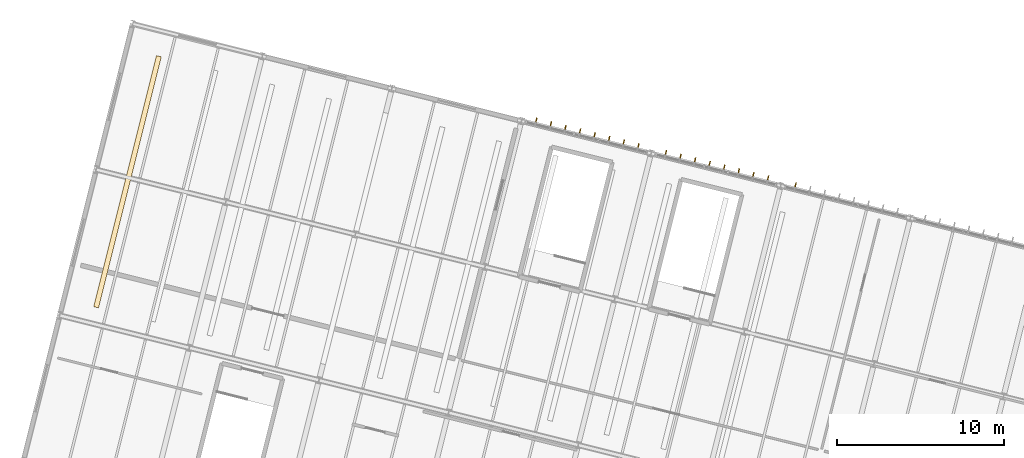
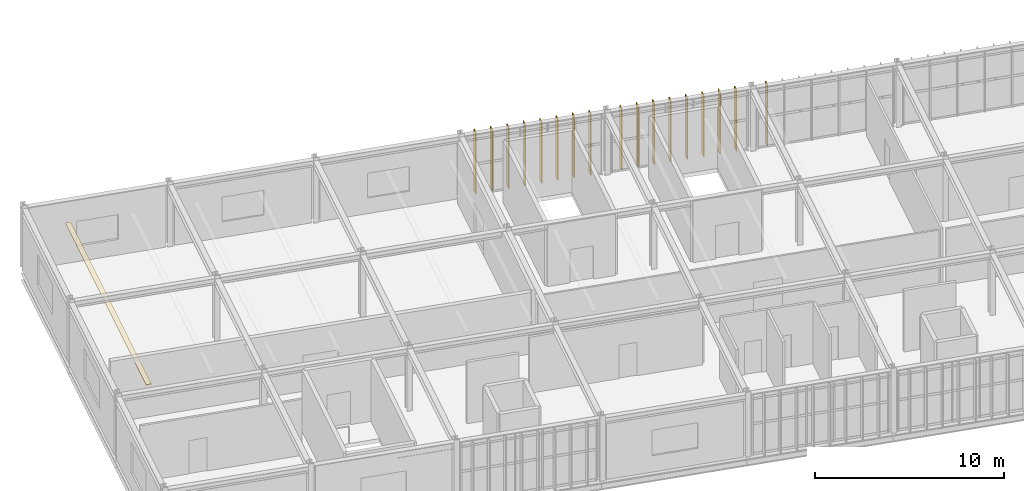
# One storey, part 30 of 30: 17 shading devices, 1 covering.
"""IFC4 building model written with IfcOpenShell, lengths in metres."""

import ifcopenshell
import ifcopenshell.guid

model = None  # the IFC model being written
_history = None  # IfcOwnerHistory: only IFC2X3 demands one
_inside = {}  # id of a spatial element -> (the spatial element, [elements in it])
_under = {}  # id of a project, library or spatial element -> (it, [spatial elements below it])
_declared = {}  # id of a project -> (the project, [libraries it declares])
_typed = {}  # id of a type object -> (the type object, [elements of that type])
_made_of = {}  # id of a material, layer set ... -> (it, [elements and type objects made of it])


def new_model(schema):
    """Start an empty IFC model of exactly this schema.

    Asked for "IFC4X3", IfcOpenShell would pick the latest addendum, in which some entities
    have other attributes; the version numbers below select the first issue.
    IFC2X3 requires an IfcOwnerHistory on every rooted entity: one is made here for all.
    """
    global model, _history
    if schema == "IFC4X3":
        model = ifcopenshell.file(schema_version=(4, 3, 0, 0))
    else:
        model = ifcopenshell.file(schema=schema)
    _inside.clear()
    _under.clear()
    _declared.clear()
    _typed.clear()
    _made_of.clear()
    _history = None
    if model.schema == "IFC2X3":
        org = make("IfcOrganization", Name="unknown")
        user = make(
            "IfcPersonAndOrganization",
            ThePerson=make("IfcPerson", FamilyName="unknown"),
            TheOrganization=org,
        )
        app = make(
            "IfcApplication",
            ApplicationDeveloper=org,
            Version="unknown",
            ApplicationFullName="unknown",
            ApplicationIdentifier="unknown",
        )
        _history = make(
            "IfcOwnerHistory",
            OwningUser=user,
            OwningApplication=app,
            ChangeAction="ADDED",
            CreationDate=0,
        )
    return model


def make(cls, **values):
    """One entity of the class cls with the attributes given. An attribute that is None is left unset."""
    return model.create_entity(
        cls, **{name: value for name, value in values.items() if value is not None}
    )


def rooted(cls, **values):
    """An entity with a GlobalId (a new one), such as an element, a storey or a relation."""
    return make(cls, GlobalId=ifcopenshell.guid.new(), OwnerHistory=_history, **values)


def si_unit(unit_type, name, prefix=None):
    """IfcSIUnit, for example si_unit("LENGTHUNIT", "METRE", prefix="MILLI")."""
    return make("IfcSIUnit", UnitType=unit_type, Prefix=prefix, Name=name)


def derived_unit(unit_type, elements):
    """IfcDerivedUnit: a product of units, each with its exponent."""
    return make(
        "IfcDerivedUnit",
        Elements=[
            make("IfcDerivedUnitElement", Unit=unit, Exponent=power)
            for unit, power in elements
        ],
        UnitType=unit_type,
    )


def assignment(units):
    """IfcUnitAssignment: the units of a project."""
    return None if units is None else make("IfcUnitAssignment", Units=units)


def point(xyz):
    """IfcCartesianPoint."""
    return None if xyz is None else make("IfcCartesianPoint", Coordinates=xyz)


def direction(xyz):
    """IfcDirection."""
    return None if xyz is None else make("IfcDirection", DirectionRatios=xyz)


def frame(location, z_axis=None, x_axis=None):
    """IfcAxis2Placement3D, a coordinate frame: its origin and axes. An axis left out is left unset."""
    return make(
        "IfcAxis2Placement3D",
        Location=point(location),
        Axis=direction(z_axis),
        RefDirection=direction(x_axis),
    )


def frame_2d(location, x_axis=None):
    """IfcAxis2Placement2D, a coordinate frame in the plane: its origin and x axis."""
    return make(
        "IfcAxis2Placement2D", Location=point(location), RefDirection=direction(x_axis)
    )


def origin():
    """The frame at (0, 0, 0) with its axes left unset."""
    return frame((0.0, 0.0, 0.0))


def origin_2d():
    """The frame at (0, 0) in the plane with its x axis left unset."""
    return frame_2d((0.0, 0.0))


def place(relative_to, where):
    """IfcLocalPlacement: puts the frame where relative to a parent placement (None: the world)."""
    return make(
        "IfcLocalPlacement", PlacementRelTo=relative_to, RelativePlacement=where
    )


def context(
    kind, dimensions, precision=None, world=None, true_north=None, identifier=None
):
    """IfcGeometricRepresentationContext, for example the 3D "Model" context."""
    return make(
        "IfcGeometricRepresentationContext",
        ContextIdentifier=identifier,
        ContextType=kind,
        CoordinateSpaceDimension=dimensions,
        Precision=precision,
        WorldCoordinateSystem=world,
        TrueNorth=true_north,
    )


def subcontext(parent, identifier, kind, view, scale=None):
    """IfcGeometricRepresentationSubContext, for example "Body" below "Model"."""
    return make(
        "IfcGeometricRepresentationSubContext",
        ContextIdentifier=identifier,
        ContextType=kind,
        ParentContext=parent,
        TargetScale=scale,
        TargetView=view,
    )


def project(units=None, contexts=None):
    """IfcProject with its units and contexts."""
    return rooted(
        "IfcProject",
        Name="project",
        RepresentationContexts=contexts,
        UnitsInContext=assignment(units),
    )


def spatial(cls, under=None, at=None, **own):
    """A site, building, storey or space (cls), placed at a placement, below another one or the project."""
    s = rooted(cls, ObjectPlacement=at, **own)
    if under is not None:
        _under.setdefault(under.id(), (under, []))[1].append(s)
    return s


def polyline(points):
    """IfcPolyline through the points."""
    return make("IfcPolyline", Points=[point(p) for p in points])


def profile(cls, at=None, kind="AREA", **sizes):
    """A parametric profile (cls). Its sizes go by their IFC names, for example OverallWidth=200.0."""
    return make(cls, ProfileType=kind, Position=at, **sizes)


def rectangle(**sizes):
    """IfcRectangleProfileDef."""
    return profile("IfcRectangleProfileDef", **sizes)


def outline(outer, holes=None, kind="AREA"):
    """IfcArbitraryClosedProfileDef: a profile drawn as a closed curve; with holes, ...WithVoids."""
    if holes is None:
        return make("IfcArbitraryClosedProfileDef", ProfileType=kind, OuterCurve=outer)
    return make(
        "IfcArbitraryProfileDefWithVoids",
        ProfileType=kind,
        OuterCurve=outer,
        InnerCurves=holes,
    )


def extrude(swept, where, along, depth):
    """IfcExtrudedAreaSolid: the profile swept, set in the frame where, extruded along a direction by depth."""
    return make(
        "IfcExtrudedAreaSolid",
        SweptArea=swept,
        Position=where,
        ExtrudedDirection=direction(along),
        Depth=depth,
    )


def shape(context_of_items, identifier, shape_type, items):
    """IfcShapeRepresentation: the items that make up one representation, for example the "Body"."""
    return make(
        "IfcShapeRepresentation",
        ContextOfItems=context_of_items,
        RepresentationIdentifier=identifier,
        RepresentationType=shape_type,
        Items=items,
    )


def material(Name=None, Category=None):
    """IfcMaterial."""
    return make("IfcMaterial", Name=Name, Category=Category)


def layer(
    of_material, thickness, ventilated=None, Name=None, Category=None, Priority=None
):
    """IfcMaterialLayer: one layer of a wall or slab, of a material (None: an air gap)."""
    return make(
        "IfcMaterialLayer",
        Material=of_material,
        LayerThickness=thickness,
        IsVentilated=ventilated,
        Name=Name,
        Category=Category,
        Priority=Priority,
    )


def layer_set(layers, Name=None):
    """IfcMaterialLayerSet."""
    return make("IfcMaterialLayerSet", MaterialLayers=layers, LayerSetName=Name)


def made_of(thing, what):
    """Note that an element or type object is made of a material, layer set ...; save() writes the relation."""
    if what is not None:
        _made_of.setdefault(what.id(), (what, []))[1].append(thing)
    return thing


def type_object(cls, material=None, **own):
    """A type object (cls), such as IfcWallType, which elements share."""
    return made_of(rooted(cls, **own), material)


def element(
    cls,
    number,
    at=None,
    inside=None,
    cuts=None,
    type_object=None,
    material=None,
    context=None,
    identifier="Body",
    shape_type=None,
    held_by="IfcProductDefinitionShape",
    body=None,
    shapes=None,
    **own,
):
    """One element of the class cls, such as IfcWall. Its Tag is "e" and its number.

    at: its placement. inside: the storey or other place that contains it. cuts: it is an
    opening in that element (IfcRelVoidsElement). A single representation is given by context,
    identifier, shape_type and body (its items); several are given by shapes. held_by: the class
    of the entity that holds the representations. save() writes the other relations.
    """
    e = rooted(cls, Tag="e%d" % number, ObjectPlacement=at, **own)
    if body is not None:
        shapes = [shape(context, identifier, shape_type, body)]
    if shapes is not None:
        e.Representation = make(held_by, Representations=shapes)
    if inside is not None:
        _inside.setdefault(inside.id(), (inside, []))[1].append(e)
    if cuts is not None:
        rooted(
            "IfcRelVoidsElement", RelatingBuildingElement=cuts, RelatedOpeningElement=e
        )
    if type_object is not None:
        _typed.setdefault(type_object.id(), (type_object, []))[1].append(e)
    return made_of(e, material)


def aggregate(whole, parts):
    """IfcRelAggregates: a whole, such as a stair, and the parts it consists of."""
    return rooted("IfcRelAggregates", RelatingObject=whole, RelatedObjects=parts)


def save(model, path):
    """Write the relations noted so far, then the file.

    IfcRelAggregates (storeys below a building ...), IfcRelContainedInSpatialStructure (elements
    in a storey), IfcRelDefinesByType, IfcRelAssociatesMaterial and IfcRelDeclares: one each for
    every whole, place, type object, material and project.
    """
    for whole, parts in _under.values():
        aggregate(whole, parts)
    for where, things in _inside.values():
        rooted(
            "IfcRelContainedInSpatialStructure",
            RelatedElements=things,
            RelatingStructure=where,
        )
    for kind, things in _typed.values():
        rooted("IfcRelDefinesByType", RelatedObjects=things, RelatingType=kind)
    for what, things in _made_of.values():
        rooted("IfcRelAssociatesMaterial", RelatedObjects=things, RelatingMaterial=what)
    for by, libraries in _declared.values():
        rooted("IfcRelDeclares", RelatingContext=by, RelatedDefinitions=libraries)
    model.write(path)


model = new_model("IFC4")

# Units and contexts
model_context = context("Model", 3, precision=1e-05, world=origin(), true_north=direction((0.0, 1.0)))
body_context = subcontext(model_context, "Body", "Model", "MODEL_VIEW")
ifc_project = project(units=[si_unit("LENGTHUNIT", "METRE"), si_unit("AREAUNIT", "SQUARE_METRE"), si_unit("VOLUMEUNIT", "CUBIC_METRE"), si_unit("PLANEANGLEUNIT", "RADIAN"), si_unit("MASSUNIT", "GRAM", prefix="KILO"), si_unit("THERMODYNAMICTEMPERATUREUNIT", "KELVIN"), si_unit("TIMEUNIT", "SECOND"), derived_unit("THERMALTRANSMITTANCEUNIT", [(si_unit("MASSUNIT", "GRAM", prefix="KILO"), 1), (si_unit("THERMODYNAMICTEMPERATUREUNIT", "KELVIN"), -1), (si_unit("TIMEUNIT", "SECOND"), -3)])], contexts=[model_context])

# Site, building, storey
site_placement = place(None, origin())
site = spatial("IfcSite", under=ifc_project, at=site_placement, CompositionType="ELEMENT")
building_placement = place(site_placement, origin())
building = spatial("IfcBuilding", under=site, at=building_placement, Name="Cambertide Market Hall", CompositionType="ELEMENT")
storey_placement = place(building_placement, frame((0.0, 0.0, 14.10009765625)))
storey = spatial("IfcBuildingStorey", under=building, at=storey_placement, Name="L04", CompositionType="ELEMENT", Elevation=14.10009765625)

# Covering
ifc_material_1 = material(Name="Perforated Aluminium Acoustic Baffle", Category="aluminium")
ifc_layer_1 = layer(ifc_material_1, 0.0400390625, Name="Perforated Aluminium Acoustic Baffle 40")
ifc_layer_set_1 = layer_set([ifc_layer_1], Name="Perforated Aluminium Acoustic Baffle")
covering_type = type_object("IfcCoveringType", Name="Perforated Aluminium Acoustic Baffle 40", PredefinedType="CEILING", material=ifc_layer_set_1)
covering_placement = place(storey_placement, frame((0.0, 0.0, 3.56982421875)))
element("IfcCovering", 1, at=covering_placement, inside=storey, type_object=covering_type, Name="Level 4 Acoustic Ceiling Baffle 01", PredefinedType="CEILING", context=body_context, shape_type="SweptSolid", body=[
    extrude(outline(polyline([(112.22021484375, 109.252685546875), (112.51123046875, 109.179931640625), (116.2705078125, 124.21728515625), (115.9794921875, 124.2900390625), (112.22021484375, 109.252685546875)])), origin(), (0.0, 0.0, 1.0), 0.0400390625),
])

# Shading devices
ifc_material_2 = material(Name="Champagne Marine Anodized Aluminium 6063-T6 AA25", Category="aluminium")
ifc_layer_2 = layer(ifc_material_2, 0.054931640625, Name="Wing Facade Vertical Sun Fin 380x55")
ifc_layer_set_2 = layer_set([ifc_layer_2], Name="Champagne Marine Anodized Aluminium 6063-T6 AA25")
shading_device_type = type_object("IfcShadingDeviceType", Name="Wing Facade Vertical Sun Fin 380x55", PredefinedType="JALOUSIE", material=ifc_layer_set_2)
for number, where, z_axis, x_axis, name in (
    (2, (138.70751953125, 120.37060546875, 0.0), (0.0, 0.0, 1.0), (0.970142500145, -0.242535625038, 0.0), "CW-V4N-L04-4 Vertical Fin 1"),
    (3, (139.58056640625, 120.15234375, 0.0), (0.0, 0.0, 1.0), (0.970142500145, -0.242535625038, 0.0), "CW-V4N-L04-4 Vertical Fin 2"),
    (4, (140.45361328125, 119.93408203125, 0.0), (0.0, 0.0, 1.0), (0.970142500145, -0.242535625038, 0.0), "CW-V4N-L04-4 Vertical Fin 3"),
    (5, (141.326904296875, 119.7158203125, 0.0), (0.0, 0.0, 1.0), (0.970142500145, -0.242535625038, 0.0), "CW-V4N-L04-4 Vertical Fin 4"),
    (6, (142.199951171875, 119.49755859375, 0.0), (0.0, 0.0, 1.0), (0.970142500145, -0.242535625038, 0.0), "CW-V4N-L04-4 Vertical Fin 5"),
    (7, (143.072998046875, 119.279052734375, 0.0), (0.0, 0.0, 1.0), (0.970142500145, -0.242535625038, 0.0), "CW-V4N-L04-4 Vertical Fin 6"),
    (8, (143.9462890625, 119.060791015625, 0.0), (0.0, 0.0, 1.0), (0.970142500145, -0.242535625038, 0.0), "CW-V4N-L04-4 Vertical Fin 7"),
    (9, (144.8193359375, 118.842529296875, 0.0), (0.0, 0.0, 1.0), (0.970142500145, -0.242535625038, 0.0), "CW-V4N-L04-4 Vertical Fin 8"),
    (10, (146.468505859375, 118.43017578125, 0.0), (0.0, 0.0, 1.0), (0.970142500145, -0.242535625038, 0.0), "CW-V4N-L04-5 Vertical Fin 1"),
    (11, (147.341796875, 118.2119140625, 0.0), (0.0, 0.0, 1.0), (0.970142500145, -0.242535625038, 0.0), "CW-V4N-L04-5 Vertical Fin 2"),
    (12, (148.21484375, 117.99365234375, 0.0), (0.0, 0.0, 1.0), (0.970142500145, -0.242535625038, 0.0), "CW-V4N-L04-5 Vertical Fin 3"),
    (13, (149.087890625, 117.775390625, 0.0), (0.0, 0.0, 1.0), (0.970142500145, -0.242535625038, 0.0), "CW-V4N-L04-5 Vertical Fin 4"),
    (14, (149.961181640625, 117.55712890625, 0.0), (0.0, 0.0, 1.0), (0.970142500145, -0.242535625038, 0.0), "CW-V4N-L04-5 Vertical Fin 5"),
    (15, (150.834228515625, 117.3388671875, 0.0), (0.0, 0.0, 1.0), (0.970142500145, -0.242535625038, 0.0), "CW-V4N-L04-5 Vertical Fin 6"),
    (16, (151.707275390625, 117.12060546875, 0.0), (0.0, 0.0, 1.0), (0.970142500145, -0.242535625038, 0.0), "CW-V4N-L04-5 Vertical Fin 7"),
    (17, (152.58056640625, 116.90234375, 0.0), (0.0, 0.0, 1.0), (0.970142500145, -0.242535625038, 0.0), "CW-V4N-L04-5 Vertical Fin 8"),
    (18, (154.229736328125, 116.489990234375, 0.0), (0.0, 0.0, 1.0), (0.970142500145, -0.242535625038, 0.0), "CW-V4N-L04-6 Vertical Fin 1"),
):
    element("IfcShadingDevice", number, at=place(storey_placement, frame(where, z_axis=z_axis, x_axis=x_axis)), inside=storey, type_object=shading_device_type, Name=name, PredefinedType="JALOUSIE", context=body_context, shape_type="SweptSolid", body=[
        extrude(rectangle(XDim=0.054931640625, YDim=0.3798828125, at=origin_2d()), origin(), (0.0, 0.0, 1.0), 3.9599609375),
    ])

save(model, "model.ifc")
